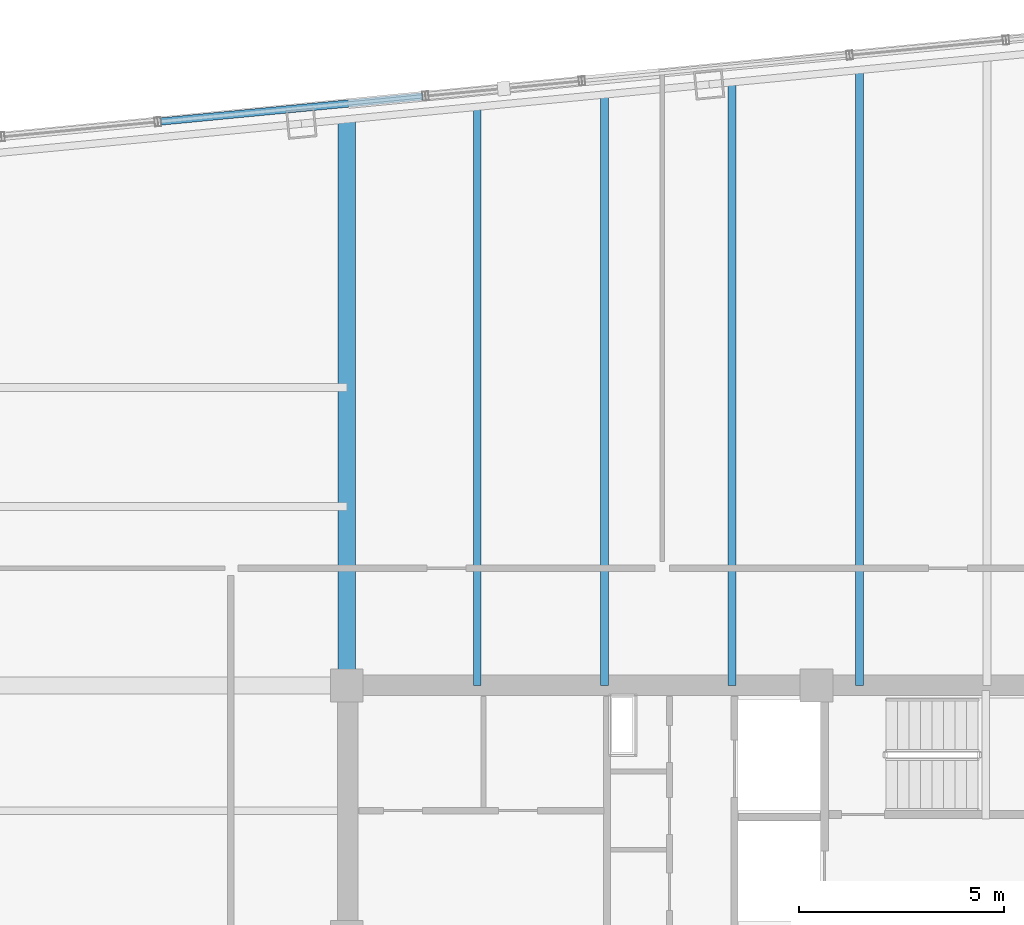
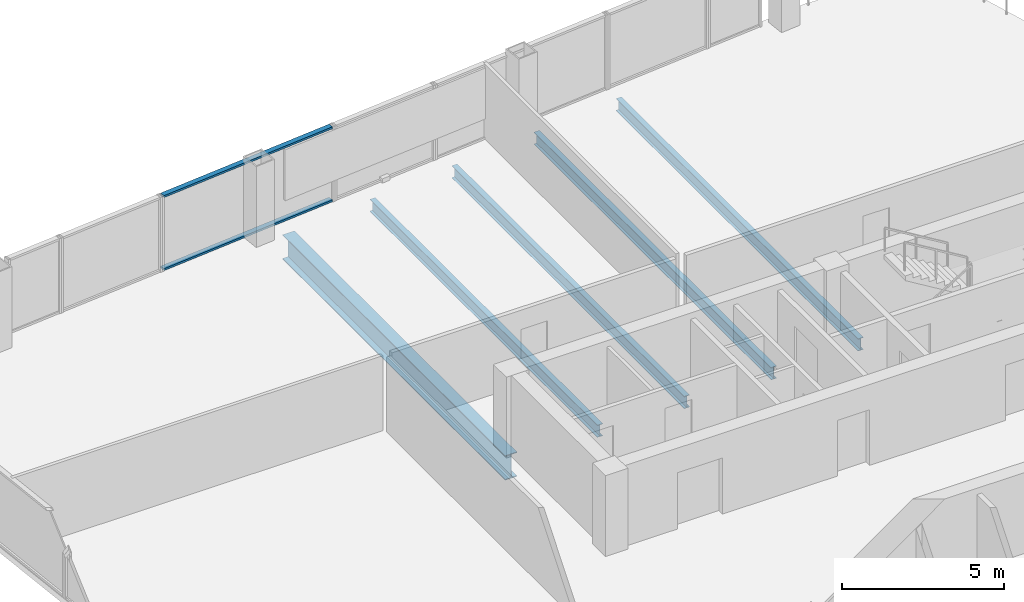
# One storey, part 13 of 21: 5 beams, 2 members, 1 element without a shape of its own.
"""IFC4 building model written with IfcOpenShell, lengths in metres."""

from ifc_helpers import new_model, si_unit, direction, frame, origin, origin_2d, place, context, subcontext, project, spatial, hollow_rectangle, i_section, extrude, material, layer, layer_set, material_profile, profile_set, type_object, element, aggregate, save


model = new_model("IFC4")

# Units and contexts
model_context = context("Model", 3, precision=1e-05, world=origin(), true_north=direction((0.0, 1.0)))
body_context = subcontext(model_context, "Body", "Model", "MODEL_VIEW")
ifc_project = project(units=[si_unit("LENGTHUNIT", "METRE"), si_unit("AREAUNIT", "SQUARE_METRE"), si_unit("VOLUMEUNIT", "CUBIC_METRE"), si_unit("PLANEANGLEUNIT", "RADIAN"), si_unit("MASSUNIT", "GRAM", prefix="KILO")], contexts=[model_context])

# Site, building, storey
site_placement = place(None, origin())
site = spatial("IfcSite", under=ifc_project, at=site_placement, CompositionType="ELEMENT")
building_placement = place(site_placement, origin())
building = spatial("IfcBuilding", under=site, at=building_placement, Name="Qhalaya Broadcast Tower", CompositionType="ELEMENT")
storey_placement = place(building_placement, frame((0.0, 0.0, 162.25)))
storey = spatial("IfcBuildingStorey", under=building, at=storey_placement, Name="L47", CompositionType="ELEMENT", Elevation=162.25)

# Beams
ifc_material_1 = material(Name="Structural Steel ASTM A992 Grade 50", Category="steel")
ifc_material_profile_1 = material_profile(ifc_material_1, i_section(OverallWidth=0.19189453125, OverallDepth=0.462890625, WebThickness=0.010498046875, FlangeThickness=0.017578125, at=origin_2d()), Name="W18X60")
ifc_profile_set_1 = profile_set([ifc_material_profile_1], Name="Structural Steel ASTM A992 Grade 50")
beam_type_1 = type_object("IfcBeamType", Name="Composite Floor Joist J03", PredefinedType="JOIST", material=ifc_profile_set_1)
beam_1_placement = place(storey_placement, frame((-6.199951171875, 9.949951171875, -0.451416015625), z_axis=(0.0, 1.0, 0.0), x_axis=(-1.0, 0.0, 0.0)))
element("IfcBeam", 1, at=beam_1_placement, inside=storey, type_object=beam_type_1, Name="L47 J03 L47-JNN1-1", PredefinedType="JOIST", context=body_context, shape_type="SweptSolid", body=[
    extrude(i_section(OverallWidth=0.19189453125, OverallDepth=0.462890625, WebThickness=0.010498046875, FlangeThickness=0.017578125, at=origin_2d()), origin(), (0.0, 0.0, 1.0), 14.059326171875),
])
beam_2_placement = place(storey_placement, frame((-3.10009765625, 9.949951171875, -0.451416015625), z_axis=(0.0, 1.0, 0.0), x_axis=(-1.0, 0.0, 0.0)))
element("IfcBeam", 2, at=beam_2_placement, inside=storey, type_object=beam_type_1, Name="L47 J03 L47-JNN2-1", PredefinedType="JOIST", context=body_context, shape_type="SweptSolid", body=[
    extrude(i_section(OverallWidth=0.19189453125, OverallDepth=0.462890625, WebThickness=0.010498046875, FlangeThickness=0.017578125, at=origin_2d()), origin(), (0.0, 0.0, 1.0), 14.35791015625),
])
beam_3_placement = place(storey_placement, frame((0.0, 9.949951171875, -0.451416015625), z_axis=(0.0, 1.0, 0.0), x_axis=(-1.0, 0.0, 0.0)))
element("IfcBeam", 3, at=beam_3_placement, inside=storey, type_object=beam_type_1, Name="L47 J03 L47-JNN3-1", PredefinedType="JOIST", context=body_context, shape_type="SweptSolid", body=[
    extrude(i_section(OverallWidth=0.19189453125, OverallDepth=0.462890625, WebThickness=0.010498046875, FlangeThickness=0.017578125, at=origin_2d()), origin(), (0.0, 0.0, 1.0), 14.65625),
])
beam_4_placement = place(storey_placement, frame((3.10009765625, 9.949951171875, -0.451416015625), z_axis=(0.0, 1.0, 0.0), x_axis=(-1.0, 0.0, 0.0)))
element("IfcBeam", 4, at=beam_4_placement, inside=storey, type_object=beam_type_1, Name="L47 J03 L47-JNN4-1", PredefinedType="JOIST", context=body_context, shape_type="SweptSolid", body=[
    extrude(i_section(OverallWidth=0.19189453125, OverallDepth=0.462890625, WebThickness=0.010498046875, FlangeThickness=0.017578125, at=origin_2d()), origin(), (0.0, 0.0, 1.0), 14.954833984375),
])
ifc_material_profile_2 = material_profile(ifc_material_1, i_section(OverallWidth=0.4189453125, OverallDepth=0.927001953125, WebThickness=0.019287109375, FlangeThickness=0.031982421875, at=origin_2d()), Name="W36X231")
ifc_profile_set_2 = profile_set([ifc_material_profile_2], Name="Structural Steel ASTM A992 Grade 50")
beam_type_2 = type_object("IfcBeamType", Name="Mid Block Primary Girder PG3", PredefinedType="USERDEFINED", material=ifc_profile_set_2)
beam_5_placement = place(storey_placement, frame((-9.375, 9.949951171875, -0.68359375), z_axis=(0.0, 1.0, 0.0), x_axis=(-1.0, 0.0, 0.0)))
element("IfcBeam", 5, at=beam_5_placement, inside=storey, type_object=beam_type_2, Name="L47 PG3 L47-PGXN1-1", ObjectType="GIRDER", PredefinedType="USERDEFINED", context=body_context, shape_type="SweptSolid", body=[
    extrude(i_section(OverallWidth=0.4189453125, OverallDepth=0.927001953125, WebThickness=0.019287109375, FlangeThickness=0.031982421875, at=origin_2d()), origin(), (0.0, 0.0, 1.0), 13.753662109375),
])

# Curtain wall, members
ifc_material_2 = material(Name="Fired Architectural Terracotta", Category="masonry")
ifc_layer = layer(ifc_material_2, 0.219970703125, Name="Fired Architectural Terracotta")
ifc_layer_set = layer_set([ifc_layer], Name="Fired Architectural Terracotta")
curtain_wall_type = type_object("IfcCurtainWallType", Name="Block-Cap Unitised Terracotta Spandrel Wall CW-07", PredefinedType="NOTDEFINED", material=ifc_layer_set)
curtain_wall_placement = place(storey_placement, origin())
curtain_wall = element("IfcCurtainWall", 6, at=curtain_wall_placement, inside=storey, type_object=curtain_wall_type, Name="L47 Unitised Curtain Wall L47-CW-N5", PredefinedType="NOTDEFINED")
ifc_material_3 = material(Name="Anodised Aluminium 6063-T6", Category="aluminium")
ifc_material_profile_3 = material_profile(ifc_material_3, hollow_rectangle(XDim=0.074951171875, YDim=0.179931640625, WallThickness=0.00390625, at=origin_2d()), Name="ALU-TRN 75x180x4")
ifc_profile_set_3 = profile_set([ifc_material_profile_3], Name="Anodised Aluminium 6063-T6")
member_type = type_object("IfcMemberType", Name="Unitised Curtain-Wall Transom T01", PredefinedType="USERDEFINED", material=ifc_profile_set_3)
member_1_placement = place(storey_placement, frame((-7.532470703125, 24.28271484375, 0.03759765625), z_axis=(-0.995398180849, -0.095825161429, 0.0), x_axis=(0.0, 0.0, 1.0)))
member_1 = element("IfcMember", 7, at=member_1_placement, type_object=member_type, Name="CW-07 transom 1.1", ObjectType="TRANSOM", PredefinedType="USERDEFINED", context=body_context, shape_type="SweptSolid", body=[
    extrude(hollow_rectangle(XDim=0.074951171875, YDim=0.179931640625, WallThickness=0.00390625, at=origin_2d()), origin(), (0.0, 0.0, 1.0), 6.39501953125),
])
member_2_placement = place(storey_placement, frame((-7.532470703125, 24.28271484375, 2.79248046875), z_axis=(-0.995398180849, -0.095825161429, 0.0), x_axis=(0.0, 0.0, 1.0)))
member_2 = element("IfcMember", 8, at=member_2_placement, type_object=member_type, Name="CW-07 transom 1.2", ObjectType="TRANSOM", PredefinedType="USERDEFINED", context=body_context, shape_type="SweptSolid", body=[
    extrude(hollow_rectangle(XDim=0.074951171875, YDim=0.179931640625, WallThickness=0.00390625, at=origin_2d()), origin(), (0.0, 0.0, 1.0), 6.39501953125),
])
aggregate(curtain_wall, [member_1, member_2])

save(model, "model.ifc")
